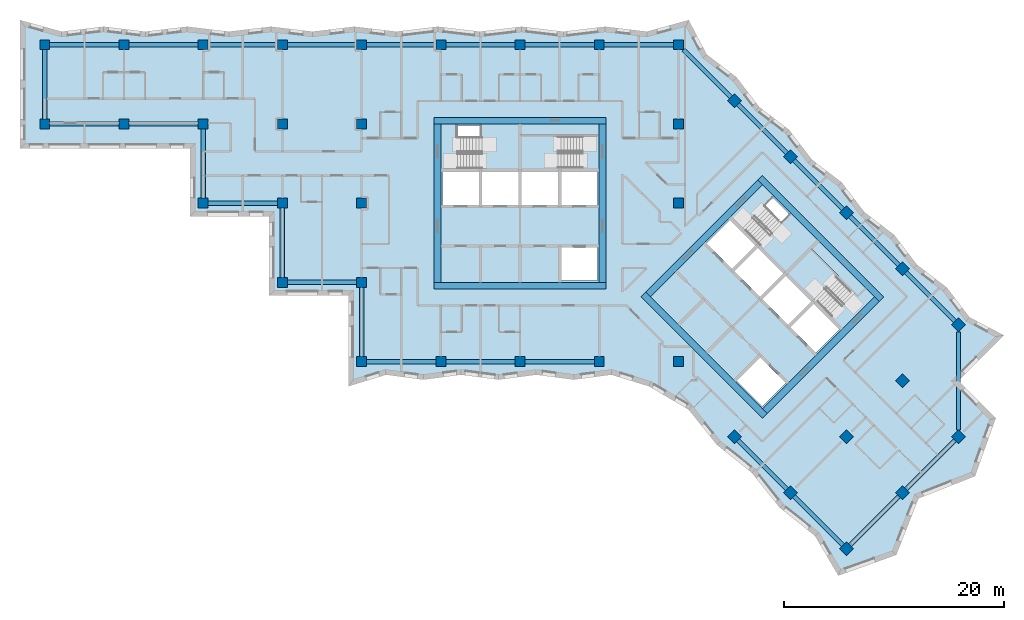
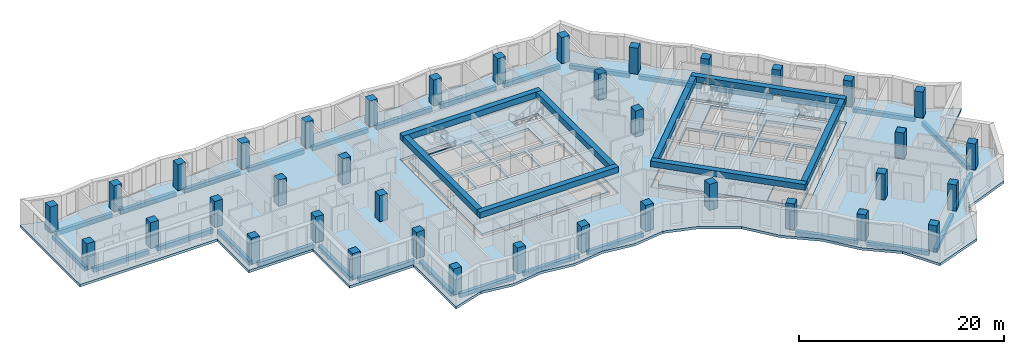
# One storey, part 1 of 12: 38 columns, 37 beams, 7 slabs, 16 openings, 4 elements without a shape of their own.
"""IFC4 building model written with IfcOpenShell, lengths in metres."""

from ifc_helpers import new_model, si_unit, direction, frame, origin, origin_2d, place, context, subcontext, project, spatial, polyline, rectangle, outline, extrude, material, layer, layer_set, material_profile, profile_set, type_object, element, aggregate, save


model = new_model("IFC4")

# Units and contexts
model_context = context("Model", 3, precision=1e-05, world=origin(), true_north=direction((0.0, 1.0)))
body_context = subcontext(model_context, "Body", "Model", "MODEL_VIEW")
ifc_project = project(units=[si_unit("LENGTHUNIT", "METRE"), si_unit("AREAUNIT", "SQUARE_METRE"), si_unit("VOLUMEUNIT", "CUBIC_METRE"), si_unit("PLANEANGLEUNIT", "RADIAN"), si_unit("MASSUNIT", "GRAM", prefix="KILO")], contexts=[model_context])

# Site, building, storey
site_placement = place(None, origin())
site = spatial("IfcSite", under=ifc_project, at=site_placement, CompositionType="ELEMENT")
building_placement = place(site_placement, origin())
building = spatial("IfcBuilding", under=site, at=building_placement, Name="Windrow Commons", CompositionType="ELEMENT")
storey_placement = place(building_placement, frame((0.0, 0.0, 152.4)))
storey = spatial("IfcBuildingStorey", under=building, at=storey_placement, Name="L41", CompositionType="ELEMENT", Elevation=152.4)

# Columns
ifc_material_1 = material(Name="Concrete C50/60", Category="concrete")
ifc_material_profile_1 = material_profile(ifc_material_1, rectangle(XDim=0.9, YDim=0.9, at=origin_2d()))
ifc_profile_set_1 = profile_set([ifc_material_profile_1], Name="Concrete C50/60")
column_type = type_object("IfcColumnType", Name="RC COLUMN 900x900 C50/60", PredefinedType="COLUMN", material=ifc_profile_set_1)
for number, where, z_axis, x_axis, name in (
    (1, (21.6, 64.8, 0.0), (0.0, 0.0, 1.0), (1.0, 0.0, 0.0), "C-Z3-04I"),
    (2, (21.6, 72.0, 0.0), (0.0, 0.0, 1.0), (1.0, 0.0, 0.0), "C-Z3-04J"),
    (3, (28.8, 64.8, 0.0), (0.0, 0.0, 1.0), (1.0, 0.0, 0.0), "C-Z3-05I"),
    (4, (28.8, 72.0, 0.0), (0.0, 0.0, 1.0), (1.0, 0.0, 0.0), "C-Z3-05J"),
    (5, (36.0, 57.6, 0.0), (0.0, 0.0, 1.0), (1.0, 0.0, 0.0), "C-Z3-06H"),
    (6, (36.0, 64.8, 0.0), (0.0, 0.0, 1.0), (1.0, 0.0, 0.0), "C-Z3-06I"),
    (7, (36.0, 72.0, 0.0), (0.0, 0.0, 1.0), (1.0, 0.0, 0.0), "C-Z3-06J"),
    (8, (43.2, 50.4, 0.0), (0.0, 0.0, 1.0), (1.0, 0.0, 0.0), "C-Z3-07G"),
    (9, (43.2, 57.6, 0.0), (0.0, 0.0, 1.0), (1.0, 0.0, 0.0), "C-Z3-07H"),
    (10, (43.2, 64.8, 0.0), (0.0, 0.0, 1.0), (1.0, 0.0, 0.0), "C-Z3-07I"),
    (11, (43.2, 72.0, 0.0), (0.0, 0.0, 1.0), (1.0, 0.0, 0.0), "C-Z3-07J"),
    (12, (50.4, 43.2, 0.0), (0.0, 0.0, 1.0), (1.0, 0.0, 0.0), "C-Z3-08F"),
    (13, (50.4, 50.4, 0.0), (0.0, 0.0, 1.0), (1.0, 0.0, 0.0), "C-Z3-08G"),
    (14, (50.4, 57.6, 0.0), (0.0, 0.0, 1.0), (1.0, 0.0, 0.0), "C-Z3-08H"),
    (15, (50.4, 64.8, 0.0), (0.0, 0.0, 1.0), (1.0, 0.0, 0.0), "C-Z3-08I"),
    (16, (50.4, 72.0, 0.0), (0.0, 0.0, 1.0), (1.0, 0.0, 0.0), "C-Z3-08J"),
    (17, (57.6, 43.2, 0.0), (0.0, 0.0, 1.0), (1.0, 0.0, 0.0), "C-Z3-09F"),
    (18, (57.6, 72.0, 0.0), (0.0, 0.0, 1.0), (1.0, 0.0, 0.0), "C-Z3-09J"),
    (19, (64.8, 43.2, 0.0), (0.0, 0.0, 1.0), (1.0, 0.0, 0.0), "C-Z3-10F"),
    (20, (64.8, 72.0, 0.0), (0.0, 0.0, 1.0), (1.0, 0.0, 0.0), "C-Z3-10J"),
    (21, (72.0, 43.2, 0.0), (0.0, 0.0, 1.0), (1.0, 0.0, 0.0), "C-Z3-11F"),
    (22, (72.0, 72.0, 0.0), (0.0, 0.0, 1.0), (1.0, 0.0, 0.0), "C-Z3-11J"),
    (23, (79.2, 43.2, 0.0), (0.0, 0.0, 1.0), (1.0, 0.0, 0.0), "C-Z3-12F"),
    (24, (79.2, 57.6, 0.0), (0.0, 0.0, 1.0), (1.0, 0.0, 0.0), "C-Z3-12H"),
    (25, (79.2, 64.8, 0.0), (0.0, 0.0, 1.0), (1.0, 0.0, 0.0), "C-Z3-12I"),
    (26, (79.2, 72.0, 0.0), (0.0, 0.0, 1.0), (1.0, 0.0, 0.0), "C-Z3-12J"),
    (27, (84.2912, 66.9088, 0.0), (0.0, 0.0, 1.0), (0.7071067812, -0.7071067812, 0.0), "C-Z3-P2Q"),
    (28, (89.3823, 61.8177, 0.0), (0.0, 0.0, 1.0), (0.7071067812, -0.7071067812, 0.0), "C-Z3-P3Q"),
    (29, (94.4735, 56.7265, 0.0), (0.0, 0.0, 1.0), (0.7071067812, -0.7071067812, 0.0), "C-Z3-P4Q"),
    (30, (99.5647, 51.6353, 0.0), (0.0, 0.0, 1.0), (0.7071067812, -0.7071067812, 0.0), "C-Z3-P5Q"),
    (31, (84.2912, 36.3618, 0.0), (0.0, 0.0, 1.0), (0.7071067812, -0.7071067812, 0.0), "C-Z3-P5T"),
    (32, (104.6558, 46.5442, 0.0), (0.0, 0.0, 1.0), (0.7071067812, -0.7071067812, 0.0), "C-Z3-P6Q"),
    (33, (99.5647, 41.453, 0.0), (0.0, 0.0, 1.0), (0.7071067812, -0.7071067812, 0.0), "C-Z3-P6R"),
    (34, (94.4735, 36.3618, 0.0), (0.0, 0.0, 1.0), (0.7071067812, -0.7071067812, 0.0), "C-Z3-P6S"),
    (35, (89.3823, 31.2706, 0.0), (0.0, 0.0, 1.0), (0.7071067812, -0.7071067812, 0.0), "C-Z3-P6T"),
    (36, (104.6558, 36.3618, 0.0), (0.0, 0.0, 1.0), (0.7071067812, -0.7071067812, 0.0), "C-Z3-P7R"),
    (37, (99.5647, 31.2706, 0.0), (0.0, 0.0, 1.0), (0.7071067812, -0.7071067812, 0.0), "C-Z3-P7S"),
    (38, (94.4735, 26.1795, 0.0), (0.0, 0.0, 1.0), (0.7071067812, -0.7071067812, 0.0), "C-Z3-P7T"),
):
    element("IfcColumn", number, at=place(storey_placement, frame(where, z_axis=z_axis, x_axis=x_axis)), inside=storey, type_object=column_type, Name=name, PredefinedType="COLUMN", context=body_context, shape_type="SweptSolid", body=[
        extrude(rectangle(XDim=0.9, YDim=0.9, at=origin_2d()), origin(), (0.0, 0.0, 1.0), 3.1),
    ])

# Beams
ifc_material_2 = material(Name="Concrete C50/60", Category="concrete")
ifc_material_profile_2 = material_profile(ifc_material_2, rectangle(XDim=0.6, YDim=0.7, at=origin_2d()))
ifc_profile_set_2 = profile_set([ifc_material_profile_2], Name="Concrete C50/60")
beam_type_1 = type_object("IfcBeamType", Name="RC COUPLING BEAM 600x700 C50/60", PredefinedType="LINTEL", material=ifc_profile_set_2)
for number, where, z_axis, x_axis, name in (
    (39, (57.0, 50.1, 2.75), (1.0, 0.0, 0.0), (0.0, 1.0, 0.0), "Core A coupling beam outer-S"),
    (40, (57.0, 65.1, 2.75), (1.0, 0.0, 0.0), (0.0, 1.0, 0.0), "Core A coupling beam outer-N"),
):
    element("IfcBeam", number, at=place(storey_placement, frame(where, z_axis=z_axis, x_axis=x_axis)), inside=storey, type_object=beam_type_1, Name=name, PredefinedType="LINTEL", context=body_context, shape_type="SweptSolid", body=[
        extrude(rectangle(XDim=0.6, YDim=0.7, at=origin_2d()), origin(), (0.0, 0.0, 1.0), 15.6),
    ])
for number, where, z_axis, x_axis, name in (
    (41, (57.3, 50.4, 2.75), (0.0, 1.0, 0.0), (-1.0, 0.0, 0.0), "Core A coupling beam outer-W"),
    (42, (72.3, 50.4, 2.75), (0.0, 1.0, 0.0), (-1.0, 0.0, 0.0), "Core A coupling beam outer-E"),
):
    element("IfcBeam", number, at=place(storey_placement, frame(where, z_axis=z_axis, x_axis=x_axis)), inside=storey, type_object=beam_type_1, Name=name, PredefinedType="LINTEL", context=body_context, shape_type="SweptSolid", body=[
        extrude(rectangle(XDim=0.6, YDim=0.7, at=origin_2d()), origin(), (0.0, 0.0, 1.0), 14.4),
    ])
for number, where, z_axis, x_axis, name in (
    (43, (76.018, 49.3019, 2.75), (0.7071067812, -0.7071067812, 0.0), (0.7071067812, 0.7071067812, 0.0), "Core B coupling beam outer-S"),
    (44, (86.6246, 59.9085, 2.75), (0.7071067812, -0.7071067812, 0.0), (0.7071067812, 0.7071067812, 0.0), "Core B coupling beam outer-N"),
):
    element("IfcBeam", number, at=place(storey_placement, frame(where, z_axis=z_axis, x_axis=x_axis)), inside=storey, type_object=beam_type_1, Name=name, PredefinedType="LINTEL", context=body_context, shape_type="SweptSolid", body=[
        extrude(rectangle(XDim=0.6, YDim=0.7, at=origin_2d()), origin(), (0.0, 0.0, 1.0), 15.6),
    ])
for number, where, z_axis, x_axis, name in (
    (45, (76.4423, 49.3019, 2.75), (0.7071067812, 0.7071067812, 0.0), (-0.7071067812, 0.7071067812, 0.0), "Core B coupling beam outer-W"),
    (46, (87.0489, 38.6953, 2.75), (0.7071067812, 0.7071067812, 0.0), (-0.7071067812, 0.7071067812, 0.0), "Core B coupling beam outer-E"),
):
    element("IfcBeam", number, at=place(storey_placement, frame(where, z_axis=z_axis, x_axis=x_axis)), inside=storey, type_object=beam_type_1, Name=name, PredefinedType="LINTEL", context=body_context, shape_type="SweptSolid", body=[
        extrude(rectangle(XDim=0.6, YDim=0.7, at=origin_2d()), origin(), (0.0, 0.0, 1.0), 14.3999),
    ])
ifc_material_3 = material(Name="Concrete C50/60", Category="concrete")
ifc_material_profile_3 = material_profile(ifc_material_3, rectangle(XDim=0.4, YDim=0.5, at=origin_2d()))
ifc_profile_set_3 = profile_set([ifc_material_profile_3], Name="Concrete C50/60")
beam_type_2 = type_object("IfcBeamType", Name="RC EDGE BEAM 400x500 C50/60", PredefinedType="SPANDREL", material=ifc_profile_set_3)
for number, where, z_axis, x_axis, name in (
    (47, (36.0, 58.05, -0.55), (0.0, 1.0, 0.0), (-1.0, 0.0, 0.0), "Edge beam L41 001"),
    (48, (35.55, 64.8, -0.55), (-1.0, 0.0, 0.0), (0.0, -1.0, 0.0), "Edge beam L41 002"),
    (49, (28.35, 64.8, -0.55), (-1.0, 0.0, 0.0), (0.0, -1.0, 0.0), "Edge beam L41 003"),
    (50, (21.6, 65.25, -0.55), (0.0, 1.0, 0.0), (-1.0, 0.0, 0.0), "Edge beam L41 004"),
    (51, (22.05, 72.0, -0.55), (1.0, 0.0, 0.0), (0.0, 1.0, 0.0), "Edge beam L41 005"),
    (52, (29.25, 72.0, -0.55), (1.0, 0.0, 0.0), (0.0, 1.0, 0.0), "Edge beam L41 006"),
    (53, (36.45, 72.0, -0.55), (1.0, 0.0, 0.0), (0.0, 1.0, 0.0), "Edge beam L41 007"),
    (54, (43.65, 72.0, -0.55), (1.0, 0.0, 0.0), (0.0, 1.0, 0.0), "Edge beam L41 008"),
    (55, (50.85, 72.0, -0.55), (1.0, 0.0, 0.0), (0.0, 1.0, 0.0), "Edge beam L41 009"),
    (56, (58.05, 72.0, -0.55), (1.0, 0.0, 0.0), (0.0, 1.0, 0.0), "Edge beam L41 010"),
    (57, (65.25, 72.0, -0.55), (1.0, 0.0, 0.0), (0.0, 1.0, 0.0), "Edge beam L41 011"),
    (58, (72.45, 72.0, -0.55), (1.0, 0.0, 0.0), (0.0, 1.0, 0.0), "Edge beam L41 012"),
):
    element("IfcBeam", number, at=place(storey_placement, frame(where, z_axis=z_axis, x_axis=x_axis)), inside=storey, type_object=beam_type_2, Name=name, PredefinedType="SPANDREL", context=body_context, shape_type="SweptSolid", body=[
        extrude(rectangle(XDim=0.4, YDim=0.5, at=origin_2d()), origin(), (0.0, 0.0, 1.0), 6.3),
    ])
beam_1_placement = place(storey_placement, frame((79.65, 71.55, -0.55), z_axis=(0.7071067812, -0.7071067812, 0.0), x_axis=(0.7071067812, 0.7071067812, 0.0)))
element("IfcBeam", 59, at=beam_1_placement, inside=storey, type_object=beam_type_2, Name="Edge beam L41 013", PredefinedType="SPANDREL", context=body_context, shape_type="SweptSolid", body=[
    extrude(rectangle(XDim=0.4, YDim=0.5, at=origin_2d()), origin(), (0.0, 0.0, 1.0), 6.1136),
])
beam_2_placement = place(storey_placement, frame((84.6094, 66.5906, -0.55), z_axis=(0.7071067812, -0.7071067812, 0.0), x_axis=(0.7071067812, 0.7071067812, 0.0)))
element("IfcBeam", 60, at=beam_2_placement, inside=storey, type_object=beam_type_2, Name="Edge beam L41 014", PredefinedType="SPANDREL", context=body_context, shape_type="SweptSolid", body=[
    extrude(rectangle(XDim=0.4, YDim=0.5, at=origin_2d()), origin(), (0.0, 0.0, 1.0), 6.2999),
])
for number, where, z_axis, x_axis, name in (
    (61, (89.7005, 61.4995, -0.55), (0.7071067812, -0.7071067812, 0.0), (0.7071067812, 0.7071067812, 0.0), "Edge beam L41 015"),
    (62, (94.7917, 56.4083, -0.55), (0.7071067812, -0.7071067812, 0.0), (0.7071067812, 0.7071067812, 0.0), "Edge beam L41 016"),
):
    element("IfcBeam", number, at=place(storey_placement, frame(where, z_axis=z_axis, x_axis=x_axis)), inside=storey, type_object=beam_type_2, Name=name, PredefinedType="SPANDREL", context=body_context, shape_type="SweptSolid", body=[
        extrude(rectangle(XDim=0.4, YDim=0.5, at=origin_2d()), origin(), (0.0, 0.0, 1.0), 6.3),
    ])
beam_3_placement = place(storey_placement, frame((99.8829, 51.3171, -0.55), z_axis=(0.7071067812, -0.7071067812, 0.0), x_axis=(0.7071067812, 0.7071067812, 0.0)))
element("IfcBeam", 63, at=beam_3_placement, inside=storey, type_object=beam_type_2, Name="Edge beam L41 017", PredefinedType="SPANDREL", context=body_context, shape_type="SweptSolid", body=[
    extrude(rectangle(XDim=0.4, YDim=0.5, at=origin_2d()), origin(), (0.0, 0.0, 1.0), 6.2999),
])
beam_4_placement = place(storey_placement, frame((104.6558, 45.9078, -0.55), z_axis=(0.0, -1.0, 0.0), x_axis=(1.0, 0.0, 0.0)))
element("IfcBeam", 64, at=beam_4_placement, inside=storey, type_object=beam_type_2, Name="Edge beam L41 018", PredefinedType="SPANDREL", context=body_context, shape_type="SweptSolid", body=[
    extrude(rectangle(XDim=0.4, YDim=0.5, at=origin_2d()), origin(), (0.0, 0.0, 1.0), 8.9096),
])
for number, where, z_axis, x_axis, name in (
    (65, (104.3376, 36.0436, -0.55), (-0.7070988446, -0.7071147177, 0.0), (0.7071147177, -0.7070988446, 0.0), "Edge beam L41 019"),
    (66, (99.2465, 30.9524, -0.55), (-0.7071147177, -0.7070988446, 0.0), (0.7070988446, -0.7071147177, 0.0), "Edge beam L41 020"),
    (67, (94.1553, 26.4977, -0.55), (-0.7071147177, 0.7070988446, 0.0), (-0.7070988446, -0.7071147177, 0.0), "Edge beam L41 021"),
    (68, (89.0641, 31.5888, -0.55), (-0.7070988446, 0.7071147177, 0.0), (-0.7071147177, -0.7070988446, 0.0), "Edge beam L41 022"),
    (69, (71.55, 43.2, -0.55), (-1.0, 0.0, 0.0), (0.0, -1.0, 0.0), "Edge beam L41 023"),
    (70, (64.35, 43.2, -0.55), (-1.0, 0.0, 0.0), (0.0, -1.0, 0.0), "Edge beam L41 024"),
    (71, (57.15, 43.2, -0.55), (-1.0, 0.0, 0.0), (0.0, -1.0, 0.0), "Edge beam L41 025"),
    (72, (50.4, 43.65, -0.55), (0.0, 1.0, 0.0), (-1.0, 0.0, 0.0), "Edge beam L41 026"),
    (73, (49.95, 50.4, -0.55), (-1.0, 0.0, 0.0), (0.0, -1.0, 0.0), "Edge beam L41 027"),
    (74, (43.2, 50.85, -0.55), (0.0, 1.0, 0.0), (-1.0, 0.0, 0.0), "Edge beam L41 028"),
    (75, (42.75, 57.6, -0.55), (-1.0, 0.0, 0.0), (0.0, -1.0, 0.0), "Edge beam L41 029"),
):
    element("IfcBeam", number, at=place(storey_placement, frame(where, z_axis=z_axis, x_axis=x_axis)), inside=storey, type_object=beam_type_2, Name=name, PredefinedType="SPANDREL", context=body_context, shape_type="SweptSolid", body=[
        extrude(rectangle(XDim=0.4, YDim=0.5, at=origin_2d()), origin(), (0.0, 0.0, 1.0), 6.3),
    ])

# Slab, openings
ifc_material_4 = material(Name="Concrete C50/60", Category="concrete")
ifc_layer_1 = layer(ifc_material_4, 0.3)
ifc_layer_set_1 = layer_set([ifc_layer_1], Name="CORE FLOOR SLAB 300 C50/60")
slab_type_1 = type_object("IfcSlabType", Name="CORE FLOOR SLAB 300 C50/60", PredefinedType="FLOOR", material=ifc_layer_set_1)
placement_1 = place(storey_placement, frame((0.0, 0.0, -0.3)))
slab_1 = element("IfcSlab", 76, at=placement_1, inside=storey, type_object=slab_type_1, Name="S-L41-core-A", PredefinedType="FLOOR", context=body_context, shape_type="SweptSolid", body=[
    extrude(outline(polyline([(57.6, 50.4), (72.0, 50.4), (72.0, 64.8), (57.6, 64.8), (57.6, 50.4)]), holes=[polyline([(68.55, 50.55), (71.85, 50.55), (71.85, 53.55), (68.55, 53.55), (68.55, 50.55)]), polyline([(57.75, 57.45), (61.05, 57.45), (61.05, 60.45), (57.75, 60.45), (57.75, 57.45)]), polyline([(61.35, 57.45), (64.65, 57.45), (64.65, 60.45), (61.35, 60.45), (61.35, 57.45)]), polyline([(64.95, 57.45), (68.25, 57.45), (68.25, 60.45), (64.95, 60.45), (64.95, 57.45)]), polyline([(68.55, 57.45), (71.85, 57.45), (71.85, 60.45), (68.55, 60.45), (68.55, 57.45)]), polyline([(59.1, 60.75), (64.65, 60.75), (64.65, 64.65), (59.1, 64.65), (59.1, 60.75)]), polyline([(64.95, 60.75), (70.5, 60.75), (70.5, 63.705), (64.95, 63.705), (64.95, 60.75)])]), origin(), (0.0, 0.0, 1.0), 0.3),
])
opening_1_placement = place(placement_1, origin())
element("IfcOpeningElement", 77, at=opening_1_placement, cuts=slab_1, Name="Slab opening S-L41-core-A 1", PredefinedType="OPENING", context=body_context, shape_type="SweptSolid", body=[
    extrude(outline(polyline([(68.555, 50.555), (68.555, 53.545), (71.845, 53.545), (71.845, 50.555), (68.555, 50.555)])), origin(), (0.0, 0.0, 1.0), 0.3),
])
opening_2_placement = place(placement_1, origin())
element("IfcOpeningElement", 78, at=opening_2_placement, cuts=slab_1, Name="Slab opening S-L41-core-A 2", PredefinedType="OPENING", context=body_context, shape_type="SweptSolid", body=[
    extrude(outline(polyline([(57.755, 57.455), (57.755, 60.445), (61.045, 60.445), (61.045, 57.455), (57.755, 57.455)])), origin(), (0.0, 0.0, 1.0), 0.3),
])
opening_3_placement = place(placement_1, origin())
element("IfcOpeningElement", 79, at=opening_3_placement, cuts=slab_1, Name="Slab opening S-L41-core-A 3", PredefinedType="OPENING", context=body_context, shape_type="SweptSolid", body=[
    extrude(outline(polyline([(61.355, 57.455), (61.355, 60.445), (64.645, 60.445), (64.645, 57.455), (61.355, 57.455)])), origin(), (0.0, 0.0, 1.0), 0.3),
])
opening_4_placement = place(placement_1, origin())
element("IfcOpeningElement", 80, at=opening_4_placement, cuts=slab_1, Name="Slab opening S-L41-core-A 4", PredefinedType="OPENING", context=body_context, shape_type="SweptSolid", body=[
    extrude(outline(polyline([(64.955, 57.455), (64.955, 60.445), (68.245, 60.445), (68.245, 57.455), (64.955, 57.455)])), origin(), (0.0, 0.0, 1.0), 0.3),
])
opening_5_placement = place(placement_1, origin())
element("IfcOpeningElement", 81, at=opening_5_placement, cuts=slab_1, Name="Slab opening S-L41-core-A 5", PredefinedType="OPENING", context=body_context, shape_type="SweptSolid", body=[
    extrude(outline(polyline([(68.555, 57.455), (68.555, 60.445), (71.845, 60.445), (71.845, 57.455), (68.555, 57.455)])), origin(), (0.0, 0.0, 1.0), 0.3),
])
opening_6_placement = place(placement_1, origin())
element("IfcOpeningElement", 82, at=opening_6_placement, cuts=slab_1, Name="Slab opening S-L41-core-A 6", PredefinedType="OPENING", context=body_context, shape_type="SweptSolid", body=[
    extrude(outline(polyline([(59.105, 60.755), (59.105, 64.645), (64.645, 64.645), (64.645, 60.755), (59.105, 60.755)])), origin(), (0.0, 0.0, 1.0), 0.3),
])
opening_7_placement = place(placement_1, origin())
element("IfcOpeningElement", 83, at=opening_7_placement, cuts=slab_1, Name="Slab opening S-L41-core-A 7", PredefinedType="OPENING", context=body_context, shape_type="SweptSolid", body=[
    extrude(outline(polyline([(64.955, 60.755), (64.955, 63.7), (70.495, 63.7), (70.495, 60.755), (64.955, 60.755)])), origin(), (0.0, 0.0, 1.0), 0.3),
])

slab_2 = element("IfcSlab", 84, at=placement_1, inside=storey, type_object=slab_type_1, Name="S-L41-core-B", PredefinedType="FLOOR", context=body_context, shape_type="SweptSolid", body=[
    extrude(outline(polyline([(76.6544, 49.0897), (86.8368, 38.9074), (97.0191, 49.0897), (86.8368, 59.2721), (76.6544, 49.0897)]), holes=[polyline([(84.5033, 41.453), (86.8368, 39.1195), (88.9581, 41.2409), (86.6246, 43.5743), (84.5033, 41.453)]), polyline([(81.7456, 53.9688), (84.079, 51.6353), (86.2004, 53.7566), (83.8669, 56.0901), (81.7456, 53.9688)]), polyline([(84.2912, 51.4232), (86.6246, 49.0897), (88.7459, 51.2111), (86.4125, 53.5445), (84.2912, 51.4232)]), polyline([(86.8368, 48.8776), (89.1702, 46.5442), (91.2915, 48.6655), (88.9581, 50.9989), (86.8368, 48.8776)]), polyline([(89.3823, 46.332), (91.7158, 43.9986), (93.8371, 46.1199), (91.5037, 48.4533), (89.3823, 46.332)]), polyline([(85.0336, 55.3476), (88.9581, 51.4232), (91.7158, 54.1809), (87.7913, 58.1054), (85.0336, 55.3476)]), polyline([(89.1702, 51.2111), (93.0946, 47.2866), (95.1841, 49.3761), (91.2597, 53.3006), (89.1702, 51.2111)])]), origin(), (0.0, 0.0, 1.0), 0.3),
])
opening_8_placement = place(placement_1, origin())
element("IfcOpeningElement", 85, at=opening_8_placement, cuts=slab_2, Name="Slab opening S-L41-core-B 1", PredefinedType="OPENING", context=body_context, shape_type="SweptSolid", body=[
    extrude(outline(polyline([(84.5104, 41.453), (86.6246, 43.5672), (88.951, 41.2409), (86.8368, 39.1266), (84.5104, 41.453)])), origin(), (0.0, 0.0, 1.0), 0.3),
])
opening_9_placement = place(placement_1, origin())
element("IfcOpeningElement", 86, at=opening_9_placement, cuts=slab_2, Name="Slab opening S-L41-core-B 2", PredefinedType="OPENING", context=body_context, shape_type="SweptSolid", body=[
    extrude(outline(polyline([(81.7527, 53.9688), (83.8669, 56.083), (86.1933, 53.7566), (84.079, 51.6424), (81.7527, 53.9688)])), origin(), (0.0, 0.0, 1.0), 0.3),
])
opening_10_placement = place(placement_1, origin())
element("IfcOpeningElement", 87, at=opening_10_placement, cuts=slab_2, Name="Slab opening S-L41-core-B 3", PredefinedType="OPENING", context=body_context, shape_type="SweptSolid", body=[
    extrude(outline(polyline([(84.2983, 51.4232), (86.4125, 53.5374), (88.7388, 51.2111), (86.6246, 49.0968), (84.2983, 51.4232)])), origin(), (0.0, 0.0, 1.0), 0.3),
])
opening_11_placement = place(placement_1, origin())
element("IfcOpeningElement", 88, at=opening_11_placement, cuts=slab_2, Name="Slab opening S-L41-core-B 4", PredefinedType="OPENING", context=body_context, shape_type="SweptSolid", body=[
    extrude(outline(polyline([(86.8439, 48.8776), (88.9581, 50.9918), (91.2844, 48.6655), (89.1702, 46.5513), (86.8439, 48.8776)])), origin(), (0.0, 0.0, 1.0), 0.3),
])
opening_12_placement = place(placement_1, origin())
element("IfcOpeningElement", 89, at=opening_12_placement, cuts=slab_2, Name="Slab opening S-L41-core-B 5", PredefinedType="OPENING", context=body_context, shape_type="SweptSolid", body=[
    extrude(outline(polyline([(89.3894, 46.332), (91.5037, 48.4462), (93.83, 46.1199), (91.7158, 44.0057), (89.3894, 46.332)])), origin(), (0.0, 0.0, 1.0), 0.3),
])
opening_13_placement = place(placement_1, origin())
element("IfcOpeningElement", 90, at=opening_13_placement, cuts=slab_2, Name="Slab opening S-L41-core-B 6", PredefinedType="OPENING", context=body_context, shape_type="SweptSolid", body=[
    extrude(outline(polyline([(85.0407, 55.3476), (87.7913, 58.0983), (91.7087, 54.1809), (88.9581, 51.4303), (85.0407, 55.3476)])), origin(), (0.0, 0.0, 1.0), 0.3),
])
opening_14_placement = place(placement_1, origin())
element("IfcOpeningElement", 91, at=opening_14_placement, cuts=slab_2, Name="Slab opening S-L41-core-B 7", PredefinedType="OPENING", context=body_context, shape_type="SweptSolid", body=[
    extrude(outline(polyline([(89.1773, 51.2111), (91.2597, 53.2935), (95.177, 49.3761), (93.0946, 47.2937), (89.1773, 51.2111)])), origin(), (0.0, 0.0, 1.0), 0.3),
])

# Stair, slab
ifc_material_5 = material(Name="Concrete C40/50", Category="concrete")
stair_type = type_object("IfcStairType", Name="Core stair", PredefinedType="HALF_TURN_STAIR", material=ifc_material_5)
placement_2 = place(storey_placement, origin())
stair_1 = element("IfcStair", 92, at=placement_2, inside=storey, type_object=stair_type, Name="L41 Exit stair A1 core A", PredefinedType="HALF_TURN_STAIR")
ifc_material_6 = material(Name="Concrete C40/50", Category="concrete")
ifc_layer_2 = layer(ifc_material_6, 0.2)
ifc_layer_set_2 = layer_set([ifc_layer_2], Name="Core stair landing")
slab_type_2 = type_object("IfcSlabType", Name="Core stair landing", PredefinedType="LANDING", material=ifc_layer_set_2)
placement_3 = place(storey_placement, frame((0.0, 0.0, 1.5)))
slab_3 = element("IfcSlab", 93, at=placement_3, type_object=slab_type_2, Name="ST-A1 landing 1", PredefinedType="LANDING", context=body_context, shape_type="SweptSolid", body=[
    extrude(outline(polyline([(61.22, 60.5), (64.8, 60.5), (64.8, 64.9), (61.22, 64.9), (61.22, 60.5)])), origin(), (0.0, 0.0, 1.0), 0.2),
])
aggregate(stair_1, [slab_3])

stair_2 = element("IfcStair", 94, at=placement_2, inside=storey, type_object=stair_type, Name="L41 Exit stair A2 core A", PredefinedType="HALF_TURN_STAIR")
slab_4 = element("IfcSlab", 95, at=placement_3, type_object=slab_type_2, Name="ST-A2 landing 1", PredefinedType="LANDING", context=body_context, shape_type="SweptSolid", body=[
    extrude(outline(polyline([(64.8, 60.5), (68.38, 60.5), (68.38, 63.855), (64.8, 63.855), (64.8, 60.5)])), origin(), (0.0, 0.0, 1.0), 0.2),
])
aggregate(stair_2, [slab_4])

stair_3 = element("IfcStair", 96, at=placement_2, inside=storey, type_object=stair_type, Name="L41 Exit stair B1 core B", PredefinedType="HALF_TURN_STAIR")
slab_5 = element("IfcSlab", 97, at=placement_3, type_object=slab_type_2, Name="ST-B1 landing 1", PredefinedType="LANDING", context=body_context, shape_type="SweptSolid", body=[
    extrude(outline(polyline([(86.3559, 53.6718), (88.8874, 51.1403), (91.9986, 54.2516), (89.4672, 56.7831), (86.3559, 53.6718)])), origin(), (0.0, 0.0, 1.0), 0.2),
])
aggregate(stair_3, [slab_5])

stair_4 = element("IfcStair", 98, at=placement_2, inside=storey, type_object=stair_type, Name="L41 Exit stair B2 core B", PredefinedType="HALF_TURN_STAIR")
slab_6 = element("IfcSlab", 99, at=placement_3, type_object=slab_type_2, Name="ST-B2 landing 1", PredefinedType="LANDING", context=body_context, shape_type="SweptSolid", body=[
    extrude(outline(polyline([(88.8874, 51.1403), (91.4188, 48.6089), (93.7911, 50.9812), (91.2597, 53.5127), (88.8874, 51.1403)])), origin(), (0.0, 0.0, 1.0), 0.2),
])
aggregate(stair_4, [slab_6])

# Slab, openings
ifc_material_7 = material(Name="Concrete C50/60", Category="concrete")
ifc_layer_3 = layer(ifc_material_7, 0.3)
ifc_layer_set_3 = layer_set([ifc_layer_3], Name="FLOOR SLAB 300 C50/60")
slab_type_3 = type_object("IfcSlabType", Name="FLOOR SLAB 300 C50/60", PredefinedType="FLOOR", material=ifc_layer_set_3)
slab_7 = element("IfcSlab", 100, at=placement_1, inside=storey, type_object=slab_type_3, Name="S-L41-floor", PredefinedType="FLOOR", context=body_context, shape_type="SweptSolid", body=[
    extrude(outline(polyline([(91.6052, 27.3507), (93.7303, 23.7392), (99.0073, 25.6221), (101.0316, 30.7576), (106.1671, 32.7819), (108.05, 38.0589), (104.6558, 41.453), (108.7932, 45.5903), (105.6616, 47.2355), (103.5921, 49.9428), (100.8848, 52.0123), (98.8153, 54.7196), (96.108, 56.7891), (94.0385, 59.4964), (91.3312, 61.5659), (89.2618, 64.2732), (86.5545, 66.3426), (84.485, 69.0499), (81.7777, 71.1194), (80.1324, 74.251), (76.3335, 73.2), (72.5345, 73.651), (68.7355, 73.2), (64.9366, 73.651), (61.1376, 73.2), (57.3386, 73.651), (53.5397, 73.2), (49.7407, 73.651), (45.9418, 73.2), (42.1428, 73.651), (38.3438, 73.2), (34.5449, 73.651), (30.7459, 73.2), (26.9469, 73.651), (23.148, 73.2), (19.349, 74.251), (19.349, 62.549), (34.8, 62.549), (34.8, 56.4), (42.0, 56.4), (42.0, 49.2), (49.2, 49.2), (49.2, 40.949), (52.6151, 42.0), (56.0301, 41.549), (59.4452, 42.0), (62.8603, 41.549), (66.2754, 42.0), (69.6904, 41.549), (73.1055, 42.0), (76.5206, 40.949), (80.132, 38.8239), (82.6814, 35.6367), (85.8686, 33.0873), (88.418, 29.9001), (91.6052, 27.3507)]), holes=[polyline([(75.8059, 49.0897), (86.8368, 60.1206), (97.8676, 49.0897), (86.8368, 38.0589), (75.8059, 49.0897)]), polyline([(57.0, 49.8), (57.0, 65.4), (72.6, 65.4), (72.6, 49.8), (57.0, 49.8)])]), origin(), (0.0, 0.0, 1.0), 0.3),
])
opening_15_placement = place(placement_1, origin())
element("IfcOpeningElement", 101, at=opening_15_placement, cuts=slab_7, Name="Slab opening S-L41-floor 1", PredefinedType="OPENING", context=body_context, shape_type="SweptSolid", body=[
    extrude(outline(polyline([(75.813, 49.0897), (86.8368, 60.1135), (97.8605, 49.0897), (86.8368, 38.066), (75.813, 49.0897)])), origin(), (0.0, 0.0, 1.0), 0.3),
])
opening_16_placement = place(placement_1, origin())
element("IfcOpeningElement", 102, at=opening_16_placement, cuts=slab_7, Name="Slab opening S-L41-floor 2", PredefinedType="OPENING", context=body_context, shape_type="SweptSolid", body=[
    extrude(outline(polyline([(57.005, 49.805), (57.005, 65.395), (72.595, 65.395), (72.595, 49.805), (57.005, 49.805)])), origin(), (0.0, 0.0, 1.0), 0.3),
])

save(model, "model.ifc")
